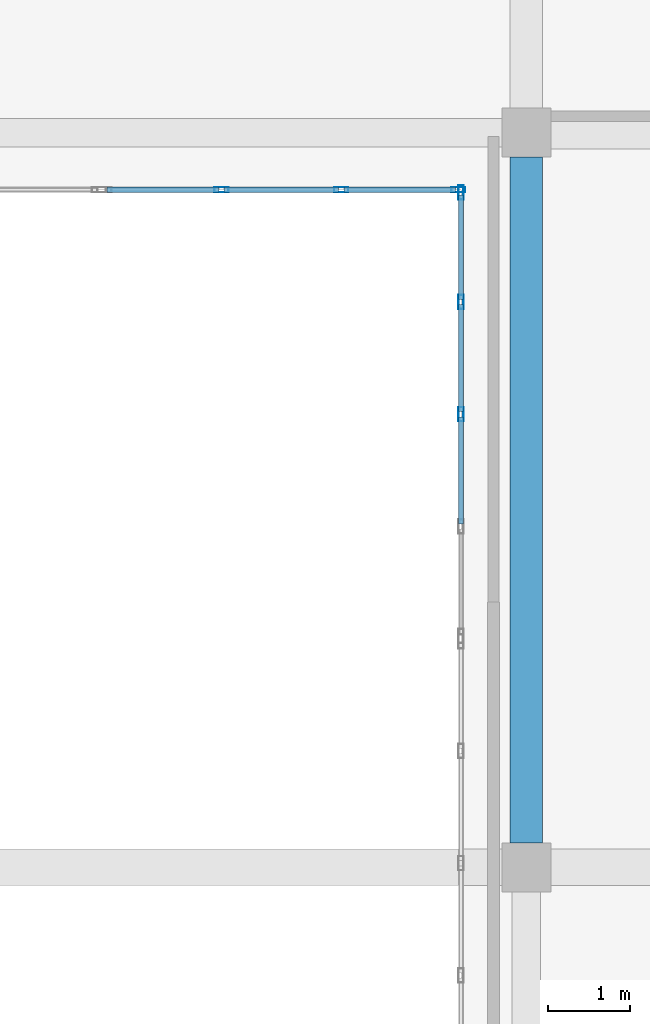
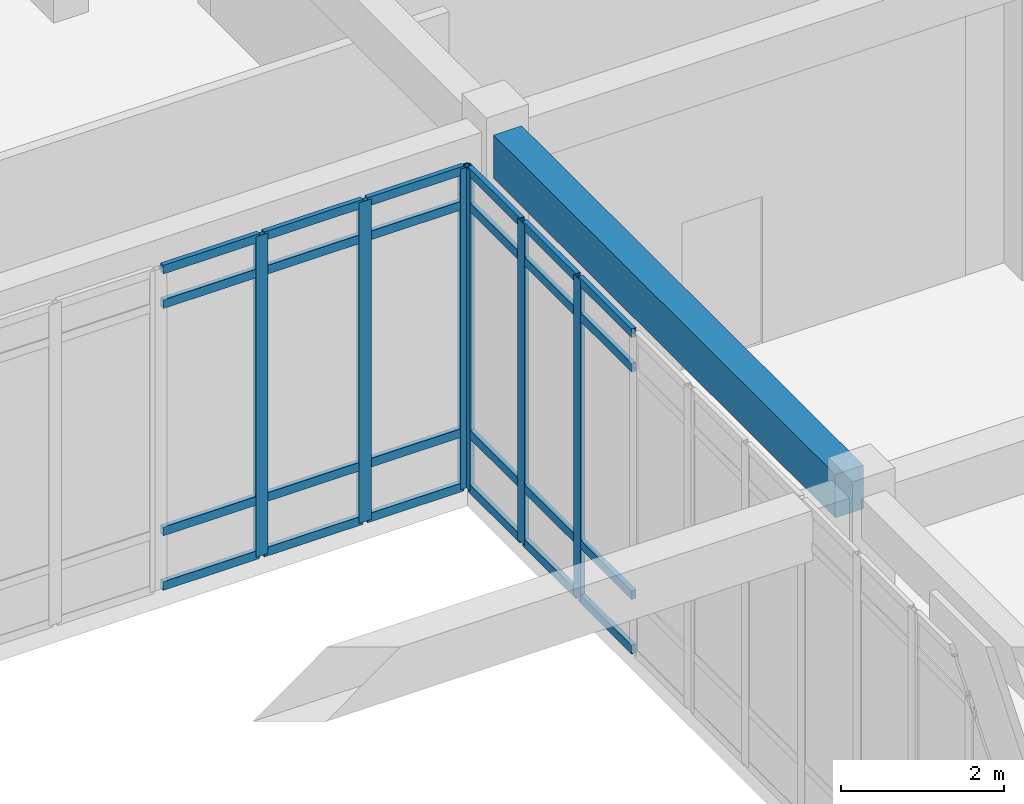
# One storey, part 68 of 121: 30 members, 1 beam, 2 elements without a shape of their own.
"""IFC4 building model written with IfcOpenShell, lengths in metres."""

from ifc_helpers import new_model, si_unit, direction, frame, origin, origin_2d, place, context, subcontext, project, spatial, rectangle, hollow_rectangle, extrude, material, layer, layer_set, material_profile, profile_set, type_object, element, aggregate, save


model = new_model("IFC4")

# Units and contexts
model_context = context("Model", 3, precision=1e-05, world=origin(), true_north=direction((0.0, 1.0)))
body_context = subcontext(model_context, "Body", "Model", "MODEL_VIEW")
ifc_project = project(units=[si_unit("LENGTHUNIT", "METRE"), si_unit("AREAUNIT", "SQUARE_METRE"), si_unit("VOLUMEUNIT", "CUBIC_METRE"), si_unit("PLANEANGLEUNIT", "RADIAN"), si_unit("MASSUNIT", "GRAM", prefix="KILO")], contexts=[model_context])

# Site, building, storey
site_placement = place(None, origin())
site = spatial("IfcSite", under=ifc_project, at=site_placement, CompositionType="ELEMENT")
building_placement = place(site_placement, origin())
building = spatial("IfcBuilding", under=site, at=building_placement, Name="Valcora Specialist Clinic", CompositionType="ELEMENT")
storey_placement = place(building_placement, origin())
storey = spatial("IfcBuildingStorey", under=building, at=storey_placement, Name="L00", CompositionType="ELEMENT", Elevation=0.0)

# Beam
ifc_material_1 = material(Name="Concrete C40/50", Category="concrete")
ifc_material_profile_1 = material_profile(ifc_material_1, rectangle(XDim=0.39990234375, YDim=0.64990234375, at=origin_2d()), Name="RC-BM-400X650")
ifc_profile_set_1 = profile_set([ifc_material_profile_1], Name="Concrete C40/50")
beam_type = type_object("IfcBeamType", Name="TY-BM-RC400X650", PredefinedType="BEAM", material=ifc_profile_set_1)
beam_placement = place(storey_placement, frame((90.800048828125, 90.5, 4.485107421875), z_axis=(0.0, 1.0, 0.0), x_axis=(-1.0, 0.0, 0.0)))
element("IfcBeam", 1, at=beam_placement, inside=storey, type_object=beam_type, Name="Beam BM-L00-0589", PredefinedType="BEAM", context=body_context, shape_type="SweptSolid", body=[
    extrude(rectangle(XDim=0.39990234375, YDim=0.64990234375, at=origin_2d()), origin(), (0.0, 0.0, 1.0), 8.39990234375),
])

# Curtain wall, members
ifc_material_2 = material(Name="Anodized Bronze Aluminium 6063-T6", Category="aluminium")
ifc_layer = layer(ifc_material_2, 0.175048828125)
ifc_layer_set = layer_set([ifc_layer], Name="Anodized Bronze Aluminium 6063-T6")
curtain_wall_type = type_object("IfcCurtainWallType", Name="TY-CW-CRT15", PredefinedType="NOTDEFINED", material=ifc_layer_set)
curtain_wall_1_placement = place(storey_placement, origin())
curtain_wall_1 = element("IfcCurtainWall", 2, at=curtain_wall_1_placement, inside=storey, type_object=curtain_wall_type, Name="Curtain wall CW-L00-034", PredefinedType="NOTDEFINED")
ifc_material_profile_2 = material_profile(ifc_material_2, hollow_rectangle(XDim=0.06494140625, YDim=0.175048828125, WallThickness=0.00390625, at=origin_2d()), Name="AL-MUL-65X175")
ifc_profile_set_2 = profile_set([ifc_material_profile_2], Name="Anodized Bronze Aluminium 6063-T6")
member_type_1 = type_object("IfcMemberType", Name="TY-CWM-65X175", PredefinedType="MULLION", material=ifc_profile_set_2)
member_1_placement = place(storey_placement, frame((90.0, 95.75, 0.0), z_axis=(0.0, 0.0, 1.0), x_axis=(-1.0, 0.0, 0.0)))
member_1 = element("IfcMember", 3, at=member_1_placement, type_object=member_type_1, Name="CW-CRT-15 mullion 3", PredefinedType="MULLION", context=body_context, shape_type="SweptSolid", body=[
    extrude(hollow_rectangle(XDim=0.06494140625, YDim=0.175048828125, WallThickness=0.00390625, at=origin_2d()), origin(), (0.0, 0.0, 1.0), 4.81005859375),
])
member_2_placement = place(storey_placement, frame((90.0, 97.125, 0.0), z_axis=(0.0, 0.0, 1.0), x_axis=(-1.0, 0.0, 0.0)))
member_2 = element("IfcMember", 4, at=member_2_placement, type_object=member_type_1, Name="CW-CRT-15 mullion 4", PredefinedType="MULLION", context=body_context, shape_type="SweptSolid", body=[
    extrude(hollow_rectangle(XDim=0.06494140625, YDim=0.175048828125, WallThickness=0.00390625, at=origin_2d()), origin(), (0.0, 0.0, 1.0), 4.81005859375),
])
member_3_placement = place(storey_placement, frame((90.0, 98.467529296875, 0.0), z_axis=(0.0, 0.0, 1.0), x_axis=(-1.0, 0.0, 0.0)))
member_3 = element("IfcMember", 5, at=member_3_placement, type_object=member_type_1, Name="CW-CRT-15 mullion 5", PredefinedType="MULLION", context=body_context, shape_type="SweptSolid", body=[
    extrude(hollow_rectangle(XDim=0.06494140625, YDim=0.175048828125, WallThickness=0.00390625, at=origin_2d()), origin(), (0.0, 0.0, 1.0), 4.81005859375),
])

curtain_wall_2_placement = place(storey_placement, origin())
curtain_wall_2 = element("IfcCurtainWall", 6, at=curtain_wall_2_placement, inside=storey, type_object=curtain_wall_type, Name="Curtain wall CW-L00-035", PredefinedType="NOTDEFINED")
member_4_placement = place(storey_placement, frame((89.967529296875, 98.5, 0.0), z_axis=(0.0, 0.0, 1.0), x_axis=(0.0, -1.0, 0.0)))
member_4 = element("IfcMember", 7, at=member_4_placement, type_object=member_type_1, Name="CW-CRT-15 mullion 1", PredefinedType="MULLION", context=body_context, shape_type="SweptSolid", body=[
    extrude(hollow_rectangle(XDim=0.06494140625, YDim=0.175048828125, WallThickness=0.00390625, at=origin_2d()), origin(), (0.0, 0.0, 1.0), 4.81005859375),
])
member_5_placement = place(storey_placement, frame((88.533447265625, 98.5, 0.0), z_axis=(0.0, 0.0, 1.0), x_axis=(0.0, -1.0, 0.0)))
member_5 = element("IfcMember", 8, at=member_5_placement, type_object=member_type_1, Name="CW-CRT-15 mullion 2", PredefinedType="MULLION", context=body_context, shape_type="SweptSolid", body=[
    extrude(hollow_rectangle(XDim=0.06494140625, YDim=0.175048828125, WallThickness=0.00390625, at=origin_2d()), origin(), (0.0, 0.0, 1.0), 4.81005859375),
])
member_6_placement = place(storey_placement, frame((87.066650390625, 98.5, 0.0), z_axis=(0.0, 0.0, 1.0), x_axis=(0.0, -1.0, 0.0)))
member_6 = element("IfcMember", 9, at=member_6_placement, type_object=member_type_1, Name="CW-CRT-15 mullion 3", PredefinedType="MULLION", context=body_context, shape_type="SweptSolid", body=[
    extrude(hollow_rectangle(XDim=0.06494140625, YDim=0.175048828125, WallThickness=0.00390625, at=origin_2d()), origin(), (0.0, 0.0, 1.0), 4.81005859375),
])

# Member
ifc_material_profile_3 = material_profile(ifc_material_2, hollow_rectangle(XDim=0.06494140625, YDim=0.1298828125, WallThickness=0.00390625, at=origin_2d()), Name="AL-TRN-65X130")
ifc_profile_set_3 = profile_set([ifc_material_profile_3], Name="Anodized Bronze Aluminium 6063-T6")
member_type_2 = type_object("IfcMemberType", Name="TY-CWT-65X130", PredefinedType="USERDEFINED", material=ifc_profile_set_3)
member_7_placement = place(storey_placement, frame((90.0, 94.407470703125, 0.032470703125), z_axis=(0.0, 1.0, 0.0), x_axis=(-1.0, 0.0, 0.0)))
member_7 = element("IfcMember", 10, at=member_7_placement, type_object=member_type_2, Name="CW-CRT-15 transom 2.1", ObjectType="TRANSOM", PredefinedType="USERDEFINED", context=body_context, shape_type="SweptSolid", body=[
    extrude(hollow_rectangle(XDim=0.06494140625, YDim=0.1298828125, WallThickness=0.00390625, at=origin_2d()), origin(), (0.0, 0.0, 1.0), 1.31005859375),
])

member_8_placement = place(storey_placement, frame((90.0, 94.407470703125, 0.85009765625), z_axis=(0.0, 1.0, 0.0), x_axis=(-1.0, 0.0, 0.0)))
member_8 = element("IfcMember", 11, at=member_8_placement, type_object=member_type_2, Name="CW-CRT-15 transom 2.2", ObjectType="TRANSOM", PredefinedType="USERDEFINED", context=body_context, shape_type="SweptSolid", body=[
    extrude(hollow_rectangle(XDim=0.06494140625, YDim=0.1298828125, WallThickness=0.00390625, at=origin_2d()), origin(), (0.0, 0.0, 1.0), 1.31005859375),
])

member_9_placement = place(storey_placement, frame((90.0, 94.407470703125, 4.260009765625), z_axis=(0.0, 1.0, 0.0), x_axis=(-1.0, 0.0, 0.0)))
member_9 = element("IfcMember", 12, at=member_9_placement, type_object=member_type_2, Name="CW-CRT-15 transom 2.3", ObjectType="TRANSOM", PredefinedType="USERDEFINED", context=body_context, shape_type="SweptSolid", body=[
    extrude(hollow_rectangle(XDim=0.06494140625, YDim=0.1298828125, WallThickness=0.00390625, at=origin_2d()), origin(), (0.0, 0.0, 1.0), 1.31005859375),
])

member_10_placement = place(storey_placement, frame((90.0, 94.407470703125, 4.777587890625), z_axis=(0.0, 1.0, 0.0), x_axis=(-1.0, 0.0, 0.0)))
member_10 = element("IfcMember", 13, at=member_10_placement, type_object=member_type_2, Name="CW-CRT-15 transom 2.4", ObjectType="TRANSOM", PredefinedType="USERDEFINED", context=body_context, shape_type="SweptSolid", body=[
    extrude(hollow_rectangle(XDim=0.06494140625, YDim=0.1298828125, WallThickness=0.00390625, at=origin_2d()), origin(), (0.0, 0.0, 1.0), 1.31005859375),
])

member_11_placement = place(storey_placement, frame((90.0, 95.782470703125, 0.032470703125), z_axis=(0.0, 1.0, 0.0), x_axis=(-1.0, 0.0, 0.0)))
member_11 = element("IfcMember", 14, at=member_11_placement, type_object=member_type_2, Name="CW-CRT-15 transom 3.1", ObjectType="TRANSOM", PredefinedType="USERDEFINED", context=body_context, shape_type="SweptSolid", body=[
    extrude(hollow_rectangle(XDim=0.06494140625, YDim=0.1298828125, WallThickness=0.00390625, at=origin_2d()), origin(), (0.0, 0.0, 1.0), 1.31005859375),
])

member_12_placement = place(storey_placement, frame((90.0, 95.782470703125, 0.85009765625), z_axis=(0.0, 1.0, 0.0), x_axis=(-1.0, 0.0, 0.0)))
member_12 = element("IfcMember", 15, at=member_12_placement, type_object=member_type_2, Name="CW-CRT-15 transom 3.2", ObjectType="TRANSOM", PredefinedType="USERDEFINED", context=body_context, shape_type="SweptSolid", body=[
    extrude(hollow_rectangle(XDim=0.06494140625, YDim=0.1298828125, WallThickness=0.00390625, at=origin_2d()), origin(), (0.0, 0.0, 1.0), 1.31005859375),
])

member_13_placement = place(storey_placement, frame((90.0, 95.782470703125, 4.260009765625), z_axis=(0.0, 1.0, 0.0), x_axis=(-1.0, 0.0, 0.0)))
member_13 = element("IfcMember", 16, at=member_13_placement, type_object=member_type_2, Name="CW-CRT-15 transom 3.3", ObjectType="TRANSOM", PredefinedType="USERDEFINED", context=body_context, shape_type="SweptSolid", body=[
    extrude(hollow_rectangle(XDim=0.06494140625, YDim=0.1298828125, WallThickness=0.00390625, at=origin_2d()), origin(), (0.0, 0.0, 1.0), 1.31005859375),
])

member_14_placement = place(storey_placement, frame((90.0, 95.782470703125, 4.777587890625), z_axis=(0.0, 1.0, 0.0), x_axis=(-1.0, 0.0, 0.0)))
member_14 = element("IfcMember", 17, at=member_14_placement, type_object=member_type_2, Name="CW-CRT-15 transom 3.4", ObjectType="TRANSOM", PredefinedType="USERDEFINED", context=body_context, shape_type="SweptSolid", body=[
    extrude(hollow_rectangle(XDim=0.06494140625, YDim=0.1298828125, WallThickness=0.00390625, at=origin_2d()), origin(), (0.0, 0.0, 1.0), 1.31005859375),
])

member_15_placement = place(storey_placement, frame((90.0, 97.157470703125, 0.032470703125), z_axis=(0.0, 1.0, 0.0), x_axis=(-1.0, 0.0, 0.0)))
member_15 = element("IfcMember", 18, at=member_15_placement, type_object=member_type_2, Name="CW-CRT-15 transom 4.1", ObjectType="TRANSOM", PredefinedType="USERDEFINED", context=body_context, shape_type="SweptSolid", body=[
    extrude(hollow_rectangle(XDim=0.06494140625, YDim=0.1298828125, WallThickness=0.00390625, at=origin_2d()), origin(), (0.0, 0.0, 1.0), 1.277587890625),
])

member_16_placement = place(storey_placement, frame((90.0, 97.157470703125, 0.85009765625), z_axis=(0.0, 1.0, 0.0), x_axis=(-1.0, 0.0, 0.0)))
member_16 = element("IfcMember", 19, at=member_16_placement, type_object=member_type_2, Name="CW-CRT-15 transom 4.2", ObjectType="TRANSOM", PredefinedType="USERDEFINED", context=body_context, shape_type="SweptSolid", body=[
    extrude(hollow_rectangle(XDim=0.06494140625, YDim=0.1298828125, WallThickness=0.00390625, at=origin_2d()), origin(), (0.0, 0.0, 1.0), 1.277587890625),
])

member_17_placement = place(storey_placement, frame((90.0, 97.157470703125, 4.260009765625), z_axis=(0.0, 1.0, 0.0), x_axis=(-1.0, 0.0, 0.0)))
member_17 = element("IfcMember", 20, at=member_17_placement, type_object=member_type_2, Name="CW-CRT-15 transom 4.3", ObjectType="TRANSOM", PredefinedType="USERDEFINED", context=body_context, shape_type="SweptSolid", body=[
    extrude(hollow_rectangle(XDim=0.06494140625, YDim=0.1298828125, WallThickness=0.00390625, at=origin_2d()), origin(), (0.0, 0.0, 1.0), 1.277587890625),
])

member_18_placement = place(storey_placement, frame((90.0, 97.157470703125, 4.777587890625), z_axis=(0.0, 1.0, 0.0), x_axis=(-1.0, 0.0, 0.0)))
member_18 = element("IfcMember", 21, at=member_18_placement, type_object=member_type_2, Name="CW-CRT-15 transom 4.4", ObjectType="TRANSOM", PredefinedType="USERDEFINED", context=body_context, shape_type="SweptSolid", body=[
    extrude(hollow_rectangle(XDim=0.06494140625, YDim=0.1298828125, WallThickness=0.00390625, at=origin_2d()), origin(), (0.0, 0.0, 1.0), 1.277587890625),
])

aggregate(curtain_wall_1, [member_1, member_2, member_3, member_7, member_8, member_9, member_10, member_11, member_12, member_13, member_14, member_15, member_16, member_17, member_18])

member_19_placement = place(storey_placement, frame((89.93505859375, 98.5, 0.032470703125), z_axis=(-1.0, 0.0, 0.0), x_axis=(0.0, -1.0, 0.0)))
member_19 = element("IfcMember", 22, at=member_19_placement, type_object=member_type_2, Name="CW-CRT-15 transom 1.1", ObjectType="TRANSOM", PredefinedType="USERDEFINED", context=body_context, shape_type="SweptSolid", body=[
    extrude(hollow_rectangle(XDim=0.06494140625, YDim=0.1298828125, WallThickness=0.00390625, at=origin_2d()), origin(), (0.0, 0.0, 1.0), 1.369140625),
])

member_20_placement = place(storey_placement, frame((89.93505859375, 98.5, 0.85009765625), z_axis=(-1.0, 0.0, 0.0), x_axis=(0.0, -1.0, 0.0)))
member_20 = element("IfcMember", 23, at=member_20_placement, type_object=member_type_2, Name="CW-CRT-15 transom 1.2", ObjectType="TRANSOM", PredefinedType="USERDEFINED", context=body_context, shape_type="SweptSolid", body=[
    extrude(hollow_rectangle(XDim=0.06494140625, YDim=0.1298828125, WallThickness=0.00390625, at=origin_2d()), origin(), (0.0, 0.0, 1.0), 1.369140625),
])

member_21_placement = place(storey_placement, frame((89.93505859375, 98.5, 4.260009765625), z_axis=(-1.0, 0.0, 0.0), x_axis=(0.0, -1.0, 0.0)))
member_21 = element("IfcMember", 24, at=member_21_placement, type_object=member_type_2, Name="CW-CRT-15 transom 1.3", ObjectType="TRANSOM", PredefinedType="USERDEFINED", context=body_context, shape_type="SweptSolid", body=[
    extrude(hollow_rectangle(XDim=0.06494140625, YDim=0.1298828125, WallThickness=0.00390625, at=origin_2d()), origin(), (0.0, 0.0, 1.0), 1.369140625),
])

member_22_placement = place(storey_placement, frame((89.93505859375, 98.5, 4.777587890625), z_axis=(-1.0, 0.0, 0.0), x_axis=(0.0, -1.0, 0.0)))
member_22 = element("IfcMember", 25, at=member_22_placement, type_object=member_type_2, Name="CW-CRT-15 transom 1.4", ObjectType="TRANSOM", PredefinedType="USERDEFINED", context=body_context, shape_type="SweptSolid", body=[
    extrude(hollow_rectangle(XDim=0.06494140625, YDim=0.1298828125, WallThickness=0.00390625, at=origin_2d()), origin(), (0.0, 0.0, 1.0), 1.369140625),
])

member_23_placement = place(storey_placement, frame((88.500732421875, 98.5, 0.032470703125), z_axis=(-1.0, 0.0, 0.0), x_axis=(0.0, -1.0, 0.0)))
member_23 = element("IfcMember", 26, at=member_23_placement, type_object=member_type_2, Name="CW-CRT-15 transom 2.1", ObjectType="TRANSOM", PredefinedType="USERDEFINED", context=body_context, shape_type="SweptSolid", body=[
    extrude(hollow_rectangle(XDim=0.06494140625, YDim=0.1298828125, WallThickness=0.00390625, at=origin_2d()), origin(), (0.0, 0.0, 1.0), 1.401611328125),
])

member_24_placement = place(storey_placement, frame((88.500732421875, 98.5, 0.85009765625), z_axis=(-1.0, 0.0, 0.0), x_axis=(0.0, -1.0, 0.0)))
member_24 = element("IfcMember", 27, at=member_24_placement, type_object=member_type_2, Name="CW-CRT-15 transom 2.2", ObjectType="TRANSOM", PredefinedType="USERDEFINED", context=body_context, shape_type="SweptSolid", body=[
    extrude(hollow_rectangle(XDim=0.06494140625, YDim=0.1298828125, WallThickness=0.00390625, at=origin_2d()), origin(), (0.0, 0.0, 1.0), 1.401611328125),
])

member_25_placement = place(storey_placement, frame((88.500732421875, 98.5, 4.260009765625), z_axis=(-1.0, 0.0, 0.0), x_axis=(0.0, -1.0, 0.0)))
member_25 = element("IfcMember", 28, at=member_25_placement, type_object=member_type_2, Name="CW-CRT-15 transom 2.3", ObjectType="TRANSOM", PredefinedType="USERDEFINED", context=body_context, shape_type="SweptSolid", body=[
    extrude(hollow_rectangle(XDim=0.06494140625, YDim=0.1298828125, WallThickness=0.00390625, at=origin_2d()), origin(), (0.0, 0.0, 1.0), 1.401611328125),
])

member_26_placement = place(storey_placement, frame((88.500732421875, 98.5, 4.777587890625), z_axis=(-1.0, 0.0, 0.0), x_axis=(0.0, -1.0, 0.0)))
member_26 = element("IfcMember", 29, at=member_26_placement, type_object=member_type_2, Name="CW-CRT-15 transom 2.4", ObjectType="TRANSOM", PredefinedType="USERDEFINED", context=body_context, shape_type="SweptSolid", body=[
    extrude(hollow_rectangle(XDim=0.06494140625, YDim=0.1298828125, WallThickness=0.00390625, at=origin_2d()), origin(), (0.0, 0.0, 1.0), 1.401611328125),
])

member_27_placement = place(storey_placement, frame((87.0341796875, 98.5, 0.032470703125), z_axis=(-1.0, 0.0, 0.0), x_axis=(0.0, -1.0, 0.0)))
member_27 = element("IfcMember", 30, at=member_27_placement, type_object=member_type_2, Name="CW-CRT-15 transom 3.1", ObjectType="TRANSOM", PredefinedType="USERDEFINED", context=body_context, shape_type="SweptSolid", body=[
    extrude(hollow_rectangle(XDim=0.06494140625, YDim=0.1298828125, WallThickness=0.00390625, at=origin_2d()), origin(), (0.0, 0.0, 1.0), 1.369140625),
])

member_28_placement = place(storey_placement, frame((87.0341796875, 98.5, 0.85009765625), z_axis=(-1.0, 0.0, 0.0), x_axis=(0.0, -1.0, 0.0)))
member_28 = element("IfcMember", 31, at=member_28_placement, type_object=member_type_2, Name="CW-CRT-15 transom 3.2", ObjectType="TRANSOM", PredefinedType="USERDEFINED", context=body_context, shape_type="SweptSolid", body=[
    extrude(hollow_rectangle(XDim=0.06494140625, YDim=0.1298828125, WallThickness=0.00390625, at=origin_2d()), origin(), (0.0, 0.0, 1.0), 1.369140625),
])

member_29_placement = place(storey_placement, frame((87.0341796875, 98.5, 4.260009765625), z_axis=(-1.0, 0.0, 0.0), x_axis=(0.0, -1.0, 0.0)))
member_29 = element("IfcMember", 32, at=member_29_placement, type_object=member_type_2, Name="CW-CRT-15 transom 3.3", ObjectType="TRANSOM", PredefinedType="USERDEFINED", context=body_context, shape_type="SweptSolid", body=[
    extrude(hollow_rectangle(XDim=0.06494140625, YDim=0.1298828125, WallThickness=0.00390625, at=origin_2d()), origin(), (0.0, 0.0, 1.0), 1.369140625),
])

member_30_placement = place(storey_placement, frame((87.0341796875, 98.5, 4.777587890625), z_axis=(-1.0, 0.0, 0.0), x_axis=(0.0, -1.0, 0.0)))
member_30 = element("IfcMember", 33, at=member_30_placement, type_object=member_type_2, Name="CW-CRT-15 transom 3.4", ObjectType="TRANSOM", PredefinedType="USERDEFINED", context=body_context, shape_type="SweptSolid", body=[
    extrude(hollow_rectangle(XDim=0.06494140625, YDim=0.1298828125, WallThickness=0.00390625, at=origin_2d()), origin(), (0.0, 0.0, 1.0), 1.369140625),
])

aggregate(curtain_wall_2, [member_4, member_5, member_6, member_19, member_20, member_21, member_22, member_23, member_24, member_25, member_26, member_27, member_28, member_29, member_30])

save(model, "model.ifc")
